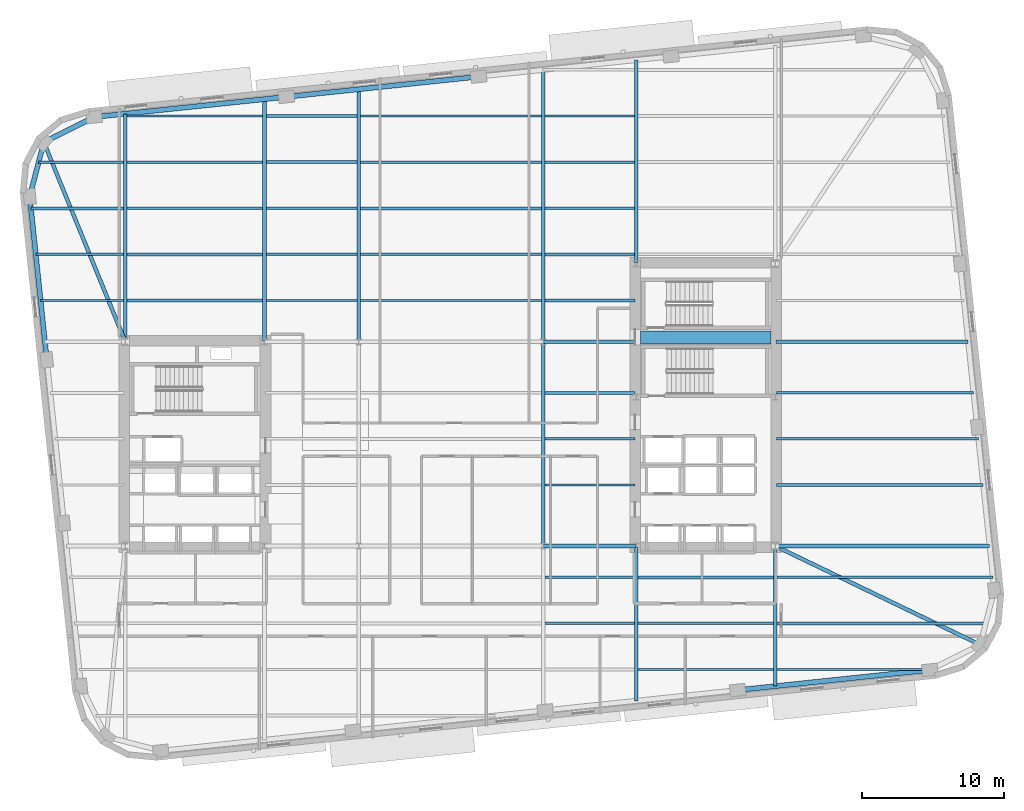
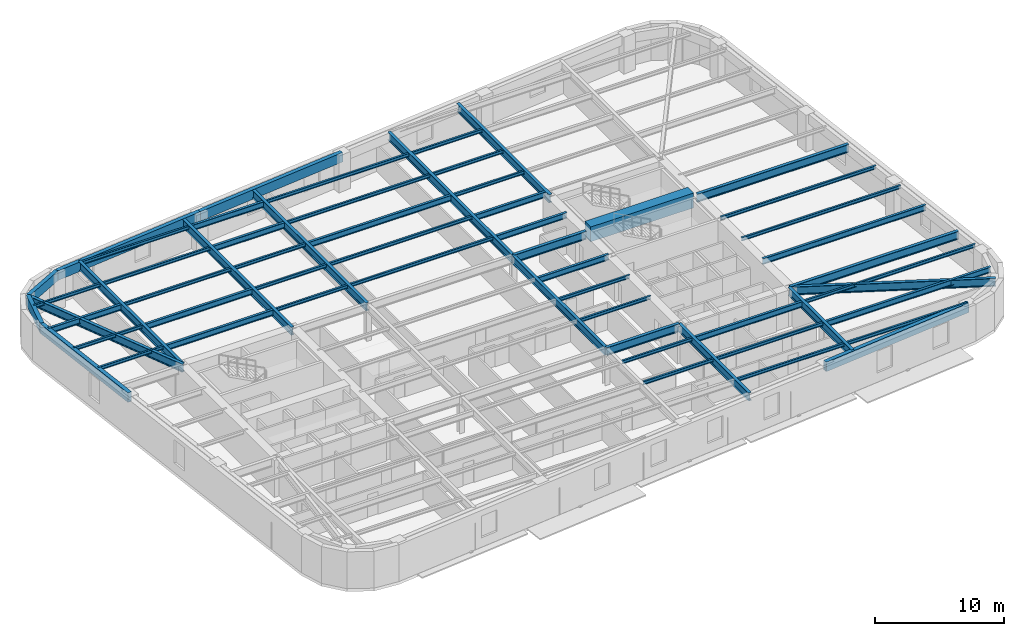
# One storey, part 2 of 11: 59 beams.
"""IFC4 building model written with IfcOpenShell, lengths in metres."""

from ifc_helpers import new_model, si_unit, direction, frame, origin, origin_2d, place, context, subcontext, project, spatial, rectangle, hollow_rectangle, i_section, extrude, material, material_profile, profile_set, type_object, element, save


model = new_model("IFC4")

# Units and contexts
model_context = context("Model", 3, precision=1e-05, world=origin(), true_north=direction((0.0, 1.0)))
body_context = subcontext(model_context, "Body", "Model", "MODEL_VIEW")
ifc_project = project(units=[si_unit("LENGTHUNIT", "METRE"), si_unit("AREAUNIT", "SQUARE_METRE"), si_unit("VOLUMEUNIT", "CUBIC_METRE"), si_unit("PLANEANGLEUNIT", "RADIAN"), si_unit("MASSUNIT", "GRAM", prefix="KILO")], contexts=[model_context])

# Site, building, storey
site_placement = place(None, origin())
site = spatial("IfcSite", under=ifc_project, at=site_placement, CompositionType="ELEMENT")
building_placement = place(site_placement, origin())
building = spatial("IfcBuilding", under=site, at=building_placement, Name="Kolvaren Arena Tower", CompositionType="ELEMENT")
storey_placement = place(building_placement, frame((0.0, 0.0, 103.449951171875)))
storey = spatial("IfcBuildingStorey", under=building, at=storey_placement, Name="L23", CompositionType="ELEMENT", Elevation=103.449951171875)

# Beams
ifc_material_1 = material(Name="Steel CSA G40.21 350W", Category="steel")
ifc_material_profile_1 = material_profile(ifc_material_1, i_section(OverallWidth=0.2119140625, OverallDepth=0.54296875, WebThickness=0.01318359375, FlangeThickness=0.0244140625, FilletRadius=0.013916015625, at=origin_2d()), Name="W530x150")
ifc_profile_set_1 = profile_set([ifc_material_profile_1], Name="Steel CSA G40.21 350W")
beam_type_1 = type_object("IfcBeamType", Name="BEAM-F1", PredefinedType="BEAM", material=ifc_profile_set_1)
beam_1_placement = place(storey_placement, frame((60.485107421875, 14.0, 3.20849609375), z_axis=(1.0, 0.0, 0.0), x_axis=(0.0, 1.0, 0.0)))
element("IfcBeam", 1, at=beam_1_placement, inside=storey, type_object=beam_type_1, Name="Composite Floor Beam (L23)", PredefinedType="BEAM", context=body_context, shape_type="SweptSolid", body=[
    extrude(i_section(OverallWidth=0.2119140625, OverallDepth=0.54296875, WebThickness=0.01318359375, FlangeThickness=0.0244140625, FilletRadius=0.013916015625, at=origin_2d()), origin(), (0.0, 0.0, 1.0), 14.69677734375),
])
beam_2_placement = place(storey_placement, frame((50.68505859375, 17.25, 3.20849609375), z_axis=(1.0, 0.0, 0.0), x_axis=(0.0, 1.0, 0.0)))
element("IfcBeam", 2, at=beam_2_placement, inside=storey, type_object=beam_type_1, Name="Composite Floor Beam (L23)", PredefinedType="BEAM", context=body_context, shape_type="SweptSolid", body=[
    extrude(i_section(OverallWidth=0.2119140625, OverallDepth=0.54296875, WebThickness=0.01318359375, FlangeThickness=0.0244140625, FilletRadius=0.013916015625, at=origin_2d()), origin(), (0.0, 0.0, 1.0), 9.530029296875),
])
beam_3_placement = place(storey_placement, frame((60.445068359375, 23.75, 3.20849609375), z_axis=(1.0, 0.0, 0.0), x_axis=(0.0, 1.0, 0.0)))
element("IfcBeam", 3, at=beam_3_placement, inside=storey, type_object=beam_type_1, Name="Composite Floor Beam (L23)", PredefinedType="BEAM", context=body_context, shape_type="SweptSolid", body=[
    extrude(i_section(OverallWidth=0.2119140625, OverallDepth=0.54296875, WebThickness=0.01318359375, FlangeThickness=0.0244140625, FilletRadius=0.013916015625, at=origin_2d()), origin(), (0.0, 0.0, 1.0), 14.56103515625),
])
beam_4_placement = place(storey_placement, frame((44.135009765625, 30.25, 3.20849609375), z_axis=(1.0, 0.0, 0.0), x_axis=(0.0, 1.0, 0.0)))
element("IfcBeam", 4, at=beam_4_placement, inside=storey, type_object=beam_type_1, Name="Composite Floor Beam (L23)", PredefinedType="BEAM", context=body_context, shape_type="SweptSolid", body=[
    extrude(i_section(OverallWidth=0.2119140625, OverallDepth=0.54296875, WebThickness=0.01318359375, FlangeThickness=0.0244140625, FilletRadius=0.013916015625, at=origin_2d()), origin(), (0.0, 0.0, 1.0), 6.320068359375),
])
beam_5_placement = place(storey_placement, frame((14.68505859375, 36.75, 3.20849609375), z_axis=(1.0, 0.0, 0.0), x_axis=(0.0, 1.0, 0.0)))
element("IfcBeam", 5, at=beam_5_placement, inside=storey, type_object=beam_type_1, Name="Composite Floor Beam (L23)", PredefinedType="BEAM", context=body_context, shape_type="SweptSolid", body=[
    extrude(i_section(OverallWidth=0.2119140625, OverallDepth=0.54296875, WebThickness=0.01318359375, FlangeThickness=0.0244140625, FilletRadius=0.013916015625, at=origin_2d()), origin(), (0.0, 0.0, 1.0), 9.530029296875),
])
beam_6_placement = place(storey_placement, frame((44.135009765625, 36.75, 3.20849609375), z_axis=(1.0, 0.0, 0.0), x_axis=(0.0, 1.0, 0.0)))
element("IfcBeam", 6, at=beam_6_placement, inside=storey, type_object=beam_type_1, Name="Composite Floor Beam (L23)", PredefinedType="BEAM", context=body_context, shape_type="SweptSolid", body=[
    extrude(i_section(OverallWidth=0.2119140625, OverallDepth=0.54296875, WebThickness=0.01318359375, FlangeThickness=0.0244140625, FilletRadius=0.013916015625, at=origin_2d()), origin(), (0.0, 0.0, 1.0), 6.320068359375),
])
beam_7_placement = place(storey_placement, frame((14.68505859375, 40.0, 3.20849609375), z_axis=(1.0, 0.0, 0.0), x_axis=(0.0, 1.0, 0.0)))
element("IfcBeam", 7, at=beam_7_placement, inside=storey, type_object=beam_type_1, Name="Composite Floor Beam (L23)", PredefinedType="BEAM", context=body_context, shape_type="SweptSolid", body=[
    extrude(i_section(OverallWidth=0.2119140625, OverallDepth=0.54296875, WebThickness=0.01318359375, FlangeThickness=0.0244140625, FilletRadius=0.013916015625, at=origin_2d()), origin(), (0.0, 0.0, 1.0), 9.530029296875),
])
beam_8_placement = place(storey_placement, frame((44.135009765625, 40.0, 3.20849609375), z_axis=(1.0, 0.0, 0.0), x_axis=(0.0, 1.0, 0.0)))
element("IfcBeam", 8, at=beam_8_placement, inside=storey, type_object=beam_type_1, Name="Composite Floor Beam (L23)", PredefinedType="BEAM", context=body_context, shape_type="SweptSolid", body=[
    extrude(i_section(OverallWidth=0.2119140625, OverallDepth=0.54296875, WebThickness=0.01318359375, FlangeThickness=0.0244140625, FilletRadius=0.013916015625, at=origin_2d()), origin(), (0.0, 0.0, 1.0), 6.280029296875),
])
beam_9_placement = place(storey_placement, frame((7.900146484375, 43.25, 3.20849609375), z_axis=(1.0, 0.0, 0.0), x_axis=(0.0, 1.0, 0.0)))
element("IfcBeam", 9, at=beam_9_placement, inside=storey, type_object=beam_type_1, Name="Composite Floor Beam (L23)", PredefinedType="BEAM", context=body_context, shape_type="SweptSolid", body=[
    extrude(i_section(OverallWidth=0.2119140625, OverallDepth=0.54296875, WebThickness=0.01318359375, FlangeThickness=0.0244140625, FilletRadius=0.013916015625, at=origin_2d()), origin(), (0.0, 0.0, 1.0), 6.514892578125),
])
beam_10_placement = place(storey_placement, frame((31.135009765625, 43.25, 3.20849609375), z_axis=(1.0, 0.0, 0.0), x_axis=(0.0, 1.0, 0.0)))
element("IfcBeam", 10, at=beam_10_placement, inside=storey, type_object=beam_type_1, Name="Composite Floor Beam (L23)", PredefinedType="BEAM", context=body_context, shape_type="SweptSolid", body=[
    extrude(i_section(OverallWidth=0.2119140625, OverallDepth=0.54296875, WebThickness=0.01318359375, FlangeThickness=0.0244140625, FilletRadius=0.013916015625, at=origin_2d()), origin(), (0.0, 0.0, 1.0), 12.72998046875),
])
for number, where, z_axis, x_axis, name in (
    (11, (24.485107421875, 46.5, 3.20849609375), (1.0, 0.0, 0.0), (0.0, 1.0, 0.0), "Composite Floor Beam (L23)"),
    (12, (24.485107421875, 49.75, 3.20849609375), (1.0, 0.0, 0.0), (0.0, 1.0, 0.0), "Composite Floor Beam (L23)"),
):
    element("IfcBeam", number, at=place(storey_placement, frame(where, z_axis=z_axis, x_axis=x_axis)), inside=storey, type_object=beam_type_1, Name=name, PredefinedType="BEAM", context=body_context, shape_type="SweptSolid", body=[
        extrude(i_section(OverallWidth=0.2119140625, OverallDepth=0.54296875, WebThickness=0.01318359375, FlangeThickness=0.0244140625, FilletRadius=0.013916015625, at=origin_2d()), origin(), (0.0, 0.0, 1.0), 6.3798828125),
    ])
ifc_material_2 = material(Name="Concrete 75 MPa", Category="concrete")
ifc_material_profile_2 = material_profile(ifc_material_2, rectangle(XDim=0.89990234375, YDim=1.39990234375, at=origin_2d()), Name="RC-900x1400")
ifc_profile_set_2 = profile_set([ifc_material_profile_2], Name="Concrete 75 MPa")
beam_type_2 = type_object("IfcBeamType", Name="CB-CORE-1", PredefinedType="BEAM", material=ifc_profile_set_2)
beam_11_placement = place(storey_placement, frame((50.85009765625, 34.14990234375, 3.050048828125), z_axis=(1.0, 0.0, 0.0), x_axis=(0.0, 1.0, 0.0)))
element("IfcBeam", 13, at=beam_11_placement, inside=storey, type_object=beam_type_2, Name="East Core Coupling Beam (L23)", PredefinedType="BEAM", context=body_context, shape_type="SweptSolid", body=[
    extrude(rectangle(XDim=0.89990234375, YDim=1.39990234375, at=origin_2d()), origin(), (0.0, 0.0, 1.0), 9.199951171875),
])
ifc_material_profile_3 = material_profile(ifc_material_1, i_section(OverallWidth=0.27001953125, OverallDepth=0.77294921875, WebThickness=0.019287109375, FlangeThickness=0.033447265625, FilletRadius=0.01806640625, at=origin_2d()), Name="W760x257")
ifc_profile_set_3 = profile_set([ifc_material_profile_3], Name="Steel CSA G40.21 350W")
beam_type_3 = type_object("IfcBeamType", Name="GIRD-T1", PredefinedType="BEAM", material=ifc_profile_set_3)
beam_12_placement = place(storey_placement, frame((74.790283203125, 12.49267578125, 3.093505859375), z_axis=(-0.900889626424, 0.43404824732, 0.0), x_axis=(-0.43404824732, -0.900889626424, 0.0)))
element("IfcBeam", 14, at=beam_12_placement, inside=storey, type_object=beam_type_3, Name="Corner Diagonal Tie Girder (L23)", PredefinedType="BEAM", context=body_context, shape_type="SweptSolid", body=[
    extrude(i_section(OverallWidth=0.27001953125, OverallDepth=0.77294921875, WebThickness=0.019287109375, FlangeThickness=0.033447265625, FilletRadius=0.01806640625, at=origin_2d()), origin(), (0.0, 0.0, 1.0), 16.02880859375),
])
beam_13_placement = place(storey_placement, frame((8.8095703125, 47.9072265625, 3.093505859375), z_axis=(0.378059288681, -0.925781385772, 0.0), x_axis=(0.925781385772, 0.378059288681, 0.0)))
element("IfcBeam", 15, at=beam_13_placement, inside=storey, type_object=beam_type_3, Name="Corner Diagonal Tie Girder (L23)", PredefinedType="BEAM", context=body_context, shape_type="SweptSolid", body=[
    extrude(i_section(OverallWidth=0.27001953125, OverallDepth=0.77294921875, WebThickness=0.019287109375, FlangeThickness=0.033447265625, FilletRadius=0.01806640625, at=origin_2d()), origin(), (0.0, 0.0, 1.0), 15.18408203125),
])
beam_14_placement = place(storey_placement, frame((44.0, 19.449951171875, 3.093505859375), z_axis=(1.0, 0.0, 0.0), x_axis=(0.0, 1.0, 0.0)))
element("IfcBeam", 16, at=beam_14_placement, inside=storey, type_object=beam_type_3, Name="Primary Floor Girder (L23)", PredefinedType="BEAM", context=body_context, shape_type="SweptSolid", body=[
    extrude(i_section(OverallWidth=0.27001953125, OverallDepth=0.77294921875, WebThickness=0.019287109375, FlangeThickness=0.033447265625, FilletRadius=0.01806640625, at=origin_2d()), origin(), (0.0, 0.0, 1.0), 6.4951171875),
])
beam_15_placement = place(storey_placement, frame((60.405029296875, 19.449951171875, 3.093505859375), z_axis=(1.0, 0.0, 0.0), x_axis=(0.0, 1.0, 0.0)))
element("IfcBeam", 17, at=beam_15_placement, inside=storey, type_object=beam_type_3, Name="Primary Floor Girder (L23)", PredefinedType="BEAM", context=body_context, shape_type="SweptSolid", body=[
    extrude(i_section(OverallWidth=0.27001953125, OverallDepth=0.77294921875, WebThickness=0.019287109375, FlangeThickness=0.033447265625, FilletRadius=0.01806640625, at=origin_2d()), origin(), (0.0, 0.0, 1.0), 15.052978515625),
])
beam_16_placement = place(storey_placement, frame((44.0, 33.85009765625, 3.093505859375), z_axis=(1.0, 0.0, 0.0), x_axis=(0.0, 1.0, 0.0)))
element("IfcBeam", 18, at=beam_16_placement, inside=storey, type_object=beam_type_3, Name="Primary Floor Girder (L23)", PredefinedType="BEAM", context=body_context, shape_type="SweptSolid", body=[
    extrude(i_section(OverallWidth=0.27001953125, OverallDepth=0.77294921875, WebThickness=0.019287109375, FlangeThickness=0.033447265625, FilletRadius=0.01806640625, at=origin_2d()), origin(), (0.0, 0.0, 1.0), 6.4951171875),
])
beam_17_placement = place(storey_placement, frame((60.405029296875, 33.85009765625, 3.093505859375), z_axis=(1.0, 0.0, 0.0), x_axis=(0.0, 1.0, 0.0)))
element("IfcBeam", 19, at=beam_17_placement, inside=storey, type_object=beam_type_3, Name="Primary Floor Girder (L23)", PredefinedType="BEAM", context=body_context, shape_type="SweptSolid", body=[
    extrude(i_section(OverallWidth=0.27001953125, OverallDepth=0.77294921875, WebThickness=0.019287109375, FlangeThickness=0.033447265625, FilletRadius=0.01806640625, at=origin_2d()), origin(), (0.0, 0.0, 1.0), 13.53955078125),
])
beam_18_placement = place(storey_placement, frame((14.550048828125, 33.905029296875, 3.093505859375), z_axis=(0.0, 1.0, 0.0), x_axis=(-1.0, 0.0, 0.0)))
element("IfcBeam", 20, at=beam_18_placement, inside=storey, type_object=beam_type_3, Name="Primary Floor Girder (L23)", PredefinedType="BEAM", context=body_context, shape_type="SweptSolid", body=[
    extrude(i_section(OverallWidth=0.27001953125, OverallDepth=0.77294921875, WebThickness=0.019287109375, FlangeThickness=0.033447265625, FilletRadius=0.01806640625, at=origin_2d()), origin(), (0.0, 0.0, 1.0), 16.004638671875),
])
beam_19_placement = place(storey_placement, frame((24.35009765625, 33.905029296875, 3.093505859375), z_axis=(0.0, 1.0, 0.0), x_axis=(-1.0, 0.0, 0.0)))
element("IfcBeam", 21, at=beam_19_placement, inside=storey, type_object=beam_type_3, Name="Primary Floor Girder (L23)", PredefinedType="BEAM", context=body_context, shape_type="SweptSolid", body=[
    extrude(i_section(OverallWidth=0.27001953125, OverallDepth=0.77294921875, WebThickness=0.019287109375, FlangeThickness=0.033447265625, FilletRadius=0.01806640625, at=origin_2d()), origin(), (0.0, 0.0, 1.0), 17.03466796875),
])
beam_20_placement = place(storey_placement, frame((31.0, 33.85009765625, 3.093505859375), z_axis=(0.0, 1.0, 0.0), x_axis=(-1.0, 0.0, 0.0)))
element("IfcBeam", 22, at=beam_20_placement, inside=storey, type_object=beam_type_3, Name="Primary Floor Girder (L23)", PredefinedType="BEAM", context=body_context, shape_type="SweptSolid", body=[
    extrude(i_section(OverallWidth=0.27001953125, OverallDepth=0.77294921875, WebThickness=0.019287109375, FlangeThickness=0.033447265625, FilletRadius=0.01806640625, at=origin_2d()), origin(), (0.0, 0.0, 1.0), 17.788330078125),
])
beam_21_placement = place(storey_placement, frame((44.0, 19.449951171875, 3.093505859375), z_axis=(0.0, 1.0, 0.0), x_axis=(-1.0, 0.0, 0.0)))
element("IfcBeam", 23, at=beam_21_placement, inside=storey, type_object=beam_type_3, Name="Primary Floor Girder (L23)", PredefinedType="BEAM", context=body_context, shape_type="SweptSolid", body=[
    extrude(i_section(OverallWidth=0.27001953125, OverallDepth=0.77294921875, WebThickness=0.019287109375, FlangeThickness=0.033447265625, FilletRadius=0.01806640625, at=origin_2d()), origin(), (0.0, 0.0, 1.0), 14.400146484375),
])
beam_22_placement = place(storey_placement, frame((44.0, 33.85009765625, 3.093505859375), z_axis=(0.0, 1.0, 0.0), x_axis=(-1.0, 0.0, 0.0)))
element("IfcBeam", 24, at=beam_22_placement, inside=storey, type_object=beam_type_3, Name="Primary Floor Girder (L23)", PredefinedType="BEAM", context=body_context, shape_type="SweptSolid", body=[
    extrude(i_section(OverallWidth=0.27001953125, OverallDepth=0.77294921875, WebThickness=0.019287109375, FlangeThickness=0.033447265625, FilletRadius=0.01806640625, at=origin_2d()), origin(), (0.0, 0.0, 1.0), 19.15478515625),
])
beam_23_placement = place(storey_placement, frame((50.550048828125, 8.5458984375, 3.093505859375), z_axis=(0.0, 1.0, 0.0), x_axis=(-1.0, 0.0, 0.0)))
element("IfcBeam", 25, at=beam_23_placement, inside=storey, type_object=beam_type_3, Name="Primary Floor Girder (L23)", PredefinedType="BEAM", context=body_context, shape_type="SweptSolid", body=[
    extrude(i_section(OverallWidth=0.27001953125, OverallDepth=0.77294921875, WebThickness=0.019287109375, FlangeThickness=0.033447265625, FilletRadius=0.01806640625, at=origin_2d()), origin(), (0.0, 0.0, 1.0), 10.84912109375),
])
beam_24_placement = place(storey_placement, frame((50.550048828125, 39.405029296875, 3.093505859375), z_axis=(0.0, 1.0, 0.0), x_axis=(-1.0, 0.0, 0.0)))
element("IfcBeam", 26, at=beam_24_placement, inside=storey, type_object=beam_type_3, Name="Primary Floor Girder (L23)", PredefinedType="BEAM", context=body_context, shape_type="SweptSolid", body=[
    extrude(i_section(OverallWidth=0.27001953125, OverallDepth=0.77294921875, WebThickness=0.019287109375, FlangeThickness=0.033447265625, FilletRadius=0.01806640625, at=origin_2d()), origin(), (0.0, 0.0, 1.0), 14.288330078125),
])
beam_25_placement = place(storey_placement, frame((60.35009765625, 9.575927734375, 3.093505859375), z_axis=(0.0, 1.0, 0.0), x_axis=(-1.0, 0.0, 0.0)))
element("IfcBeam", 27, at=beam_25_placement, inside=storey, type_object=beam_type_3, Name="Primary Floor Girder (L23)", PredefinedType="BEAM", context=body_context, shape_type="SweptSolid", body=[
    extrude(i_section(OverallWidth=0.27001953125, OverallDepth=0.77294921875, WebThickness=0.019287109375, FlangeThickness=0.033447265625, FilletRadius=0.01806640625, at=origin_2d()), origin(), (0.0, 0.0, 1.0), 9.819091796875),
])
ifc_material_profile_4 = material_profile(ifc_material_1, i_section(OverallWidth=0.1669921875, OverallDepth=0.31689453125, WebThickness=0.007568359375, FlangeThickness=0.01318359375, FilletRadius=0.010009765625, at=origin_2d()), Name="W310x52")
ifc_profile_set_4 = profile_set([ifc_material_profile_4], Name="Steel CSA G40.21 350W")
beam_type_4 = type_object("IfcBeamType", Name="JOIST-02", PredefinedType="JOIST", material=ifc_profile_set_4)
beam_26_placement = place(storey_placement, frame((50.68505859375, 10.75, 3.321533203125), z_axis=(1.0, 0.0, 0.0), x_axis=(0.0, 1.0, 0.0)))
element("IfcBeam", 28, at=beam_26_placement, inside=storey, type_object=beam_type_4, Name="Composite Floor Joist (L23)", PredefinedType="JOIST", context=body_context, shape_type="SweptSolid", body=[
    extrude(i_section(OverallWidth=0.1669921875, OverallDepth=0.31689453125, WebThickness=0.007568359375, FlangeThickness=0.01318359375, FilletRadius=0.010009765625, at=origin_2d()), origin(), (0.0, 0.0, 1.0), 9.530029296875),
])
beam_27_placement = place(storey_placement, frame((60.485107421875, 10.75, 3.321533203125), z_axis=(1.0, 0.0, 0.0), x_axis=(0.0, 1.0, 0.0)))
element("IfcBeam", 29, at=beam_27_placement, inside=storey, type_object=beam_type_4, Name="Composite Floor Joist (L23)", PredefinedType="JOIST", context=body_context, shape_type="SweptSolid", body=[
    extrude(i_section(OverallWidth=0.1669921875, OverallDepth=0.31689453125, WebThickness=0.007568359375, FlangeThickness=0.01318359375, FilletRadius=0.010009765625, at=origin_2d()), origin(), (0.0, 0.0, 1.0), 10.819580078125),
])
beam_28_placement = place(storey_placement, frame((44.135009765625, 14.0, 3.321533203125), z_axis=(1.0, 0.0, 0.0), x_axis=(0.0, 1.0, 0.0)))
element("IfcBeam", 30, at=beam_28_placement, inside=storey, type_object=beam_type_4, Name="Composite Floor Joist (L23)", PredefinedType="JOIST", context=body_context, shape_type="SweptSolid", body=[
    extrude(i_section(OverallWidth=0.1669921875, OverallDepth=0.31689453125, WebThickness=0.007568359375, FlangeThickness=0.01318359375, FilletRadius=0.010009765625, at=origin_2d()), origin(), (0.0, 0.0, 1.0), 6.280029296875),
])
beam_29_placement = place(storey_placement, frame((50.68505859375, 14.0, 3.321533203125), z_axis=(1.0, 0.0, 0.0), x_axis=(0.0, 1.0, 0.0)))
element("IfcBeam", 31, at=beam_29_placement, inside=storey, type_object=beam_type_4, Name="Composite Floor Joist (L23)", PredefinedType="JOIST", context=body_context, shape_type="SweptSolid", body=[
    extrude(i_section(OverallWidth=0.1669921875, OverallDepth=0.31689453125, WebThickness=0.007568359375, FlangeThickness=0.01318359375, FilletRadius=0.010009765625, at=origin_2d()), origin(), (0.0, 0.0, 1.0), 9.530029296875),
])
beam_30_placement = place(storey_placement, frame((44.135009765625, 17.25, 3.321533203125), z_axis=(1.0, 0.0, 0.0), x_axis=(0.0, 1.0, 0.0)))
element("IfcBeam", 32, at=beam_30_placement, inside=storey, type_object=beam_type_4, Name="Composite Floor Joist (L23)", PredefinedType="JOIST", context=body_context, shape_type="SweptSolid", body=[
    extrude(i_section(OverallWidth=0.1669921875, OverallDepth=0.31689453125, WebThickness=0.007568359375, FlangeThickness=0.01318359375, FilletRadius=0.010009765625, at=origin_2d()), origin(), (0.0, 0.0, 1.0), 6.280029296875),
])
beam_31_placement = place(storey_placement, frame((60.485107421875, 17.25, 3.321533203125), z_axis=(1.0, 0.0, 0.0), x_axis=(0.0, 1.0, 0.0)))
element("IfcBeam", 33, at=beam_31_placement, inside=storey, type_object=beam_type_4, Name="Composite Floor Joist (L23)", PredefinedType="JOIST", context=body_context, shape_type="SweptSolid", body=[
    extrude(i_section(OverallWidth=0.1669921875, OverallDepth=0.31689453125, WebThickness=0.007568359375, FlangeThickness=0.01318359375, FilletRadius=0.010009765625, at=origin_2d()), origin(), (0.0, 0.0, 1.0), 15.2041015625),
])
for number, where, z_axis, x_axis, name in (
    (34, (44.135009765625, 23.75, 3.321533203125), (1.0, 0.0, 0.0), (0.0, 1.0, 0.0), "Composite Floor Joist (L23)"),
    (35, (44.135009765625, 27.0, 3.321533203125), (1.0, 0.0, 0.0), (0.0, 1.0, 0.0), "Composite Floor Joist (L23)"),
):
    element("IfcBeam", number, at=place(storey_placement, frame(where, z_axis=z_axis, x_axis=x_axis)), inside=storey, type_object=beam_type_4, Name=name, PredefinedType="JOIST", context=body_context, shape_type="SweptSolid", body=[
        extrude(i_section(OverallWidth=0.1669921875, OverallDepth=0.31689453125, WebThickness=0.007568359375, FlangeThickness=0.01318359375, FilletRadius=0.010009765625, at=origin_2d()), origin(), (0.0, 0.0, 1.0), 6.320068359375),
    ])
beam_32_placement = place(storey_placement, frame((60.445068359375, 27.0, 3.321533203125), z_axis=(1.0, 0.0, 0.0), x_axis=(0.0, 1.0, 0.0)))
element("IfcBeam", 36, at=beam_32_placement, inside=storey, type_object=beam_type_4, Name="Composite Floor Joist (L23)", PredefinedType="JOIST", context=body_context, shape_type="SweptSolid", body=[
    extrude(i_section(OverallWidth=0.1669921875, OverallDepth=0.31689453125, WebThickness=0.007568359375, FlangeThickness=0.01318359375, FilletRadius=0.010009765625, at=origin_2d()), origin(), (0.0, 0.0, 1.0), 14.219482421875),
])
beam_33_placement = place(storey_placement, frame((60.445068359375, 30.25, 3.321533203125), z_axis=(1.0, 0.0, 0.0), x_axis=(0.0, 1.0, 0.0)))
element("IfcBeam", 37, at=beam_33_placement, inside=storey, type_object=beam_type_4, Name="Composite Floor Joist (L23)", PredefinedType="JOIST", context=body_context, shape_type="SweptSolid", body=[
    extrude(i_section(OverallWidth=0.1669921875, OverallDepth=0.31689453125, WebThickness=0.007568359375, FlangeThickness=0.01318359375, FilletRadius=0.010009765625, at=origin_2d()), origin(), (0.0, 0.0, 1.0), 13.8779296875),
])
beam_34_placement = place(storey_placement, frame((8.58349609375, 36.75, 3.321533203125), z_axis=(1.0, 0.0, 0.0), x_axis=(0.0, 1.0, 0.0)))
element("IfcBeam", 38, at=beam_34_placement, inside=storey, type_object=beam_type_4, Name="Composite Floor Joist (L23)", PredefinedType="JOIST", context=body_context, shape_type="SweptSolid", body=[
    extrude(i_section(OverallWidth=0.1669921875, OverallDepth=0.31689453125, WebThickness=0.007568359375, FlangeThickness=0.01318359375, FilletRadius=0.010009765625, at=origin_2d()), origin(), (0.0, 0.0, 1.0), 5.83154296875),
])
beam_35_placement = place(storey_placement, frame((24.485107421875, 36.75, 3.321533203125), z_axis=(1.0, 0.0, 0.0), x_axis=(0.0, 1.0, 0.0)))
element("IfcBeam", 39, at=beam_35_placement, inside=storey, type_object=beam_type_4, Name="Composite Floor Joist (L23)", PredefinedType="JOIST", context=body_context, shape_type="SweptSolid", body=[
    extrude(i_section(OverallWidth=0.1669921875, OverallDepth=0.31689453125, WebThickness=0.007568359375, FlangeThickness=0.01318359375, FilletRadius=0.010009765625, at=origin_2d()), origin(), (0.0, 0.0, 1.0), 6.3798828125),
])
beam_36_placement = place(storey_placement, frame((31.135009765625, 36.75, 3.321533203125), z_axis=(1.0, 0.0, 0.0), x_axis=(0.0, 1.0, 0.0)))
element("IfcBeam", 40, at=beam_36_placement, inside=storey, type_object=beam_type_4, Name="Composite Floor Joist (L23)", PredefinedType="JOIST", context=body_context, shape_type="SweptSolid", body=[
    extrude(i_section(OverallWidth=0.1669921875, OverallDepth=0.31689453125, WebThickness=0.007568359375, FlangeThickness=0.01318359375, FilletRadius=0.010009765625, at=origin_2d()), origin(), (0.0, 0.0, 1.0), 12.72998046875),
])
beam_37_placement = place(storey_placement, frame((8.24169921875, 40.0, 3.321533203125), z_axis=(1.0, 0.0, 0.0), x_axis=(0.0, 1.0, 0.0)))
element("IfcBeam", 41, at=beam_37_placement, inside=storey, type_object=beam_type_4, Name="Composite Floor Joist (L23)", PredefinedType="JOIST", context=body_context, shape_type="SweptSolid", body=[
    extrude(i_section(OverallWidth=0.1669921875, OverallDepth=0.31689453125, WebThickness=0.007568359375, FlangeThickness=0.01318359375, FilletRadius=0.010009765625, at=origin_2d()), origin(), (0.0, 0.0, 1.0), 6.17333984375),
])
beam_38_placement = place(storey_placement, frame((24.485107421875, 40.0, 3.321533203125), z_axis=(1.0, 0.0, 0.0), x_axis=(0.0, 1.0, 0.0)))
element("IfcBeam", 42, at=beam_38_placement, inside=storey, type_object=beam_type_4, Name="Composite Floor Joist (L23)", PredefinedType="JOIST", context=body_context, shape_type="SweptSolid", body=[
    extrude(i_section(OverallWidth=0.1669921875, OverallDepth=0.31689453125, WebThickness=0.007568359375, FlangeThickness=0.01318359375, FilletRadius=0.010009765625, at=origin_2d()), origin(), (0.0, 0.0, 1.0), 6.3798828125),
])
beam_39_placement = place(storey_placement, frame((31.135009765625, 40.0, 3.321533203125), z_axis=(1.0, 0.0, 0.0), x_axis=(0.0, 1.0, 0.0)))
element("IfcBeam", 43, at=beam_39_placement, inside=storey, type_object=beam_type_4, Name="Composite Floor Joist (L23)", PredefinedType="JOIST", context=body_context, shape_type="SweptSolid", body=[
    extrude(i_section(OverallWidth=0.1669921875, OverallDepth=0.31689453125, WebThickness=0.007568359375, FlangeThickness=0.01318359375, FilletRadius=0.010009765625, at=origin_2d()), origin(), (0.0, 0.0, 1.0), 12.72998046875),
])
beam_40_placement = place(storey_placement, frame((14.68505859375, 43.25, 3.321533203125), z_axis=(1.0, 0.0, 0.0), x_axis=(0.0, 1.0, 0.0)))
element("IfcBeam", 44, at=beam_40_placement, inside=storey, type_object=beam_type_4, Name="Composite Floor Joist (L23)", PredefinedType="JOIST", context=body_context, shape_type="SweptSolid", body=[
    extrude(i_section(OverallWidth=0.1669921875, OverallDepth=0.31689453125, WebThickness=0.007568359375, FlangeThickness=0.01318359375, FilletRadius=0.010009765625, at=origin_2d()), origin(), (0.0, 0.0, 1.0), 9.530029296875),
])
beam_41_placement = place(storey_placement, frame((24.485107421875, 43.25, 3.321533203125), z_axis=(1.0, 0.0, 0.0), x_axis=(0.0, 1.0, 0.0)))
element("IfcBeam", 45, at=beam_41_placement, inside=storey, type_object=beam_type_4, Name="Composite Floor Joist (L23)", PredefinedType="JOIST", context=body_context, shape_type="SweptSolid", body=[
    extrude(i_section(OverallWidth=0.1669921875, OverallDepth=0.31689453125, WebThickness=0.007568359375, FlangeThickness=0.01318359375, FilletRadius=0.010009765625, at=origin_2d()), origin(), (0.0, 0.0, 1.0), 6.3798828125),
])
beam_42_placement = place(storey_placement, frame((44.135009765625, 43.25, 3.321533203125), z_axis=(1.0, 0.0, 0.0), x_axis=(0.0, 1.0, 0.0)))
element("IfcBeam", 46, at=beam_42_placement, inside=storey, type_object=beam_type_4, Name="Composite Floor Joist (L23)", PredefinedType="JOIST", context=body_context, shape_type="SweptSolid", body=[
    extrude(i_section(OverallWidth=0.1669921875, OverallDepth=0.31689453125, WebThickness=0.007568359375, FlangeThickness=0.01318359375, FilletRadius=0.010009765625, at=origin_2d()), origin(), (0.0, 0.0, 1.0), 6.280029296875),
])
beam_43_placement = place(storey_placement, frame((8.444091796875, 46.5, 3.321533203125), z_axis=(1.0, 0.0, 0.0), x_axis=(0.0, 1.0, 0.0)))
element("IfcBeam", 47, at=beam_43_placement, inside=storey, type_object=beam_type_4, Name="Composite Floor Joist (L23)", PredefinedType="JOIST", context=body_context, shape_type="SweptSolid", body=[
    extrude(i_section(OverallWidth=0.1669921875, OverallDepth=0.31689453125, WebThickness=0.007568359375, FlangeThickness=0.01318359375, FilletRadius=0.010009765625, at=origin_2d()), origin(), (0.0, 0.0, 1.0), 5.970947265625),
])
beam_44_placement = place(storey_placement, frame((14.68505859375, 46.5, 3.321533203125), z_axis=(1.0, 0.0, 0.0), x_axis=(0.0, 1.0, 0.0)))
element("IfcBeam", 48, at=beam_44_placement, inside=storey, type_object=beam_type_4, Name="Composite Floor Joist (L23)", PredefinedType="JOIST", context=body_context, shape_type="SweptSolid", body=[
    extrude(i_section(OverallWidth=0.1669921875, OverallDepth=0.31689453125, WebThickness=0.007568359375, FlangeThickness=0.01318359375, FilletRadius=0.010009765625, at=origin_2d()), origin(), (0.0, 0.0, 1.0), 9.530029296875),
])
beam_45_placement = place(storey_placement, frame((31.135009765625, 46.5, 3.321533203125), z_axis=(1.0, 0.0, 0.0), x_axis=(0.0, 1.0, 0.0)))
element("IfcBeam", 49, at=beam_45_placement, inside=storey, type_object=beam_type_4, Name="Composite Floor Joist (L23)", PredefinedType="JOIST", context=body_context, shape_type="SweptSolid", body=[
    extrude(i_section(OverallWidth=0.1669921875, OverallDepth=0.31689453125, WebThickness=0.007568359375, FlangeThickness=0.01318359375, FilletRadius=0.010009765625, at=origin_2d()), origin(), (0.0, 0.0, 1.0), 12.72998046875),
])
beam_46_placement = place(storey_placement, frame((44.135009765625, 46.5, 3.321533203125), z_axis=(1.0, 0.0, 0.0), x_axis=(0.0, 1.0, 0.0)))
element("IfcBeam", 50, at=beam_46_placement, inside=storey, type_object=beam_type_4, Name="Composite Floor Joist (L23)", PredefinedType="JOIST", context=body_context, shape_type="SweptSolid", body=[
    extrude(i_section(OverallWidth=0.1669921875, OverallDepth=0.31689453125, WebThickness=0.007568359375, FlangeThickness=0.01318359375, FilletRadius=0.010009765625, at=origin_2d()), origin(), (0.0, 0.0, 1.0), 6.280029296875),
])
beam_47_placement = place(storey_placement, frame((14.68505859375, 49.75, 3.321533203125), z_axis=(1.0, 0.0, 0.0), x_axis=(0.0, 1.0, 0.0)))
element("IfcBeam", 51, at=beam_47_placement, inside=storey, type_object=beam_type_4, Name="Composite Floor Joist (L23)", PredefinedType="JOIST", context=body_context, shape_type="SweptSolid", body=[
    extrude(i_section(OverallWidth=0.1669921875, OverallDepth=0.31689453125, WebThickness=0.007568359375, FlangeThickness=0.01318359375, FilletRadius=0.010009765625, at=origin_2d()), origin(), (0.0, 0.0, 1.0), 9.530029296875),
])
beam_48_placement = place(storey_placement, frame((31.135009765625, 49.75, 3.321533203125), z_axis=(1.0, 0.0, 0.0), x_axis=(0.0, 1.0, 0.0)))
element("IfcBeam", 52, at=beam_48_placement, inside=storey, type_object=beam_type_4, Name="Composite Floor Joist (L23)", PredefinedType="JOIST", context=body_context, shape_type="SweptSolid", body=[
    extrude(i_section(OverallWidth=0.1669921875, OverallDepth=0.31689453125, WebThickness=0.007568359375, FlangeThickness=0.01318359375, FilletRadius=0.010009765625, at=origin_2d()), origin(), (0.0, 0.0, 1.0), 12.72998046875),
])
beam_49_placement = place(storey_placement, frame((44.135009765625, 49.75, 3.321533203125), z_axis=(1.0, 0.0, 0.0), x_axis=(0.0, 1.0, 0.0)))
element("IfcBeam", 53, at=beam_49_placement, inside=storey, type_object=beam_type_4, Name="Composite Floor Joist (L23)", PredefinedType="JOIST", context=body_context, shape_type="SweptSolid", body=[
    extrude(i_section(OverallWidth=0.1669921875, OverallDepth=0.31689453125, WebThickness=0.007568359375, FlangeThickness=0.01318359375, FilletRadius=0.010009765625, at=origin_2d()), origin(), (0.0, 0.0, 1.0), 6.280029296875),
])
ifc_material_3 = material(Name="Steel CSA G40.21 350WT", Category="steel")
ifc_material_profile_5 = material_profile(ifc_material_3, hollow_rectangle(XDim=0.35009765625, YDim=0.89990234375, WallThickness=0.02001953125, at=origin_2d()), Name="HSS 900x350x20")
ifc_profile_set_5 = profile_set([ifc_material_profile_5], Name="Steel CSA G40.21 350WT")
beam_type_5 = type_object("IfcBeamType", Name="SPAND-01", PredefinedType="SPANDREL", material=ifc_profile_set_5)
for number, where, z_axis, x_axis, name in (
    (54, (57.697021484375, 9.297119140625, 3.030029296875), (0.994520955135, 0.104537408603, 0.0), (-0.104537408603, 0.994520955135, 0.0), "Perimeter Spandrel Beam (L23)"),
    (55, (39.453369140625, 52.527099609375, 3.030029296875), (-0.994520955135, -0.104537408603, 0.0), (0.104537408603, -0.994520955135, 0.0), "Perimeter Spandrel Beam (L23)"),
):
    element("IfcBeam", number, at=place(storey_placement, frame(where, z_axis=z_axis, x_axis=x_axis)), inside=storey, type_object=beam_type_5, Name=name, PredefinedType="SPANDREL", context=body_context, shape_type="SweptSolid", body=[
        extrude(hollow_rectangle(XDim=0.35009765625, YDim=0.89990234375, WallThickness=0.02001953125, at=origin_2d()), origin(), (0.0, 0.0, 1.0), 13.625),
    ])
beam_50_placement = place(storey_placement, frame((25.903076171875, 51.102783203125, 3.030029296875), z_axis=(-0.994523013632, -0.104517823154, 0.0), x_axis=(0.104517823154, -0.994523013632, 0.0)))
element("IfcBeam", 56, at=beam_50_placement, inside=storey, type_object=beam_type_5, Name="Perimeter Spandrel Beam (L23)", PredefinedType="SPANDREL", context=body_context, shape_type="SweptSolid", body=[
    extrude(hollow_rectangle(XDim=0.35009765625, YDim=0.89990234375, WallThickness=0.02001953125, at=origin_2d()), origin(), (0.0, 0.0, 1.0), 13.625244140625),
])
beam_51_placement = place(storey_placement, frame((12.3525390625, 49.6787109375, 3.030029296875), z_axis=(-0.894427191, -0.4472135955, 0.0), x_axis=(0.4472135955, -0.894427191, 0.0)))
element("IfcBeam", 57, at=beam_51_placement, inside=storey, type_object=beam_type_5, Name="Perimeter Spandrel Beam (L23)", PredefinedType="SPANDREL", context=body_context, shape_type="SweptSolid", body=[
    extrude(hollow_rectangle(XDim=0.35009765625, YDim=0.89990234375, WallThickness=0.02001953125, at=origin_2d()), origin(), (0.0, 0.0, 1.0), 3.961181640625),
])
beam_52_placement = place(storey_placement, frame((8.8095703125, 47.9072265625, 3.030029296875), z_axis=(-0.25141561169, -0.96787922294, 0.0), x_axis=(0.96787922294, -0.25141561169, 0.0)))
element("IfcBeam", 58, at=beam_52_placement, inside=storey, type_object=beam_type_5, Name="Perimeter Spandrel Beam (L23)", PredefinedType="SPANDREL", context=body_context, shape_type="SweptSolid", body=[
    extrude(hollow_rectangle(XDim=0.35009765625, YDim=0.89990234375, WallThickness=0.02001953125, at=origin_2d()), origin(), (0.0, 0.0, 1.0), 3.9609375),
])
beam_53_placement = place(storey_placement, frame((7.813720703125, 44.073486328125, 3.030029296875), z_axis=(0.104524366116, -0.994522325988, 0.0), x_axis=(0.994522325988, 0.104524366116, 0.0)))
element("IfcBeam", 59, at=beam_53_placement, inside=storey, type_object=beam_type_5, Name="Perimeter Spandrel Beam (L23)", PredefinedType="SPANDREL", context=body_context, shape_type="SweptSolid", body=[
    extrude(hollow_rectangle(XDim=0.35009765625, YDim=0.89990234375, WallThickness=0.02001953125, at=origin_2d()), origin(), (0.0, 0.0, 1.0), 11.566650390625),
])

save(model, "model.ifc")
